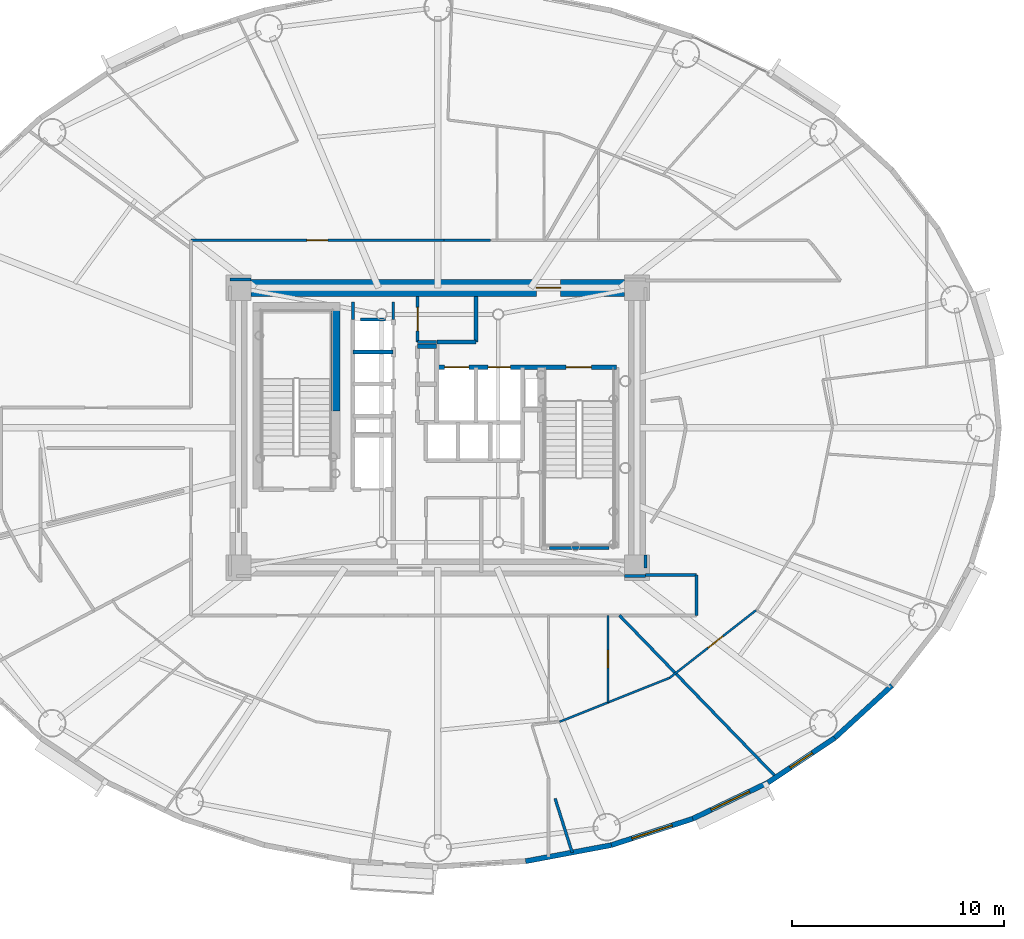
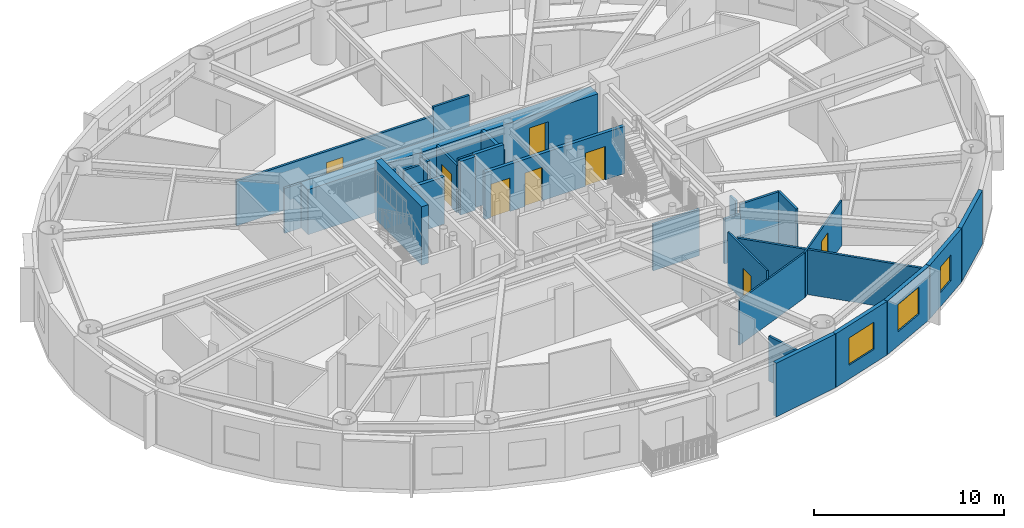
# One storey, part 8 of 17: 30 walls, 8 doors, 3 windows, 11 openings.
"""IFC4 building model written with IfcOpenShell, lengths in metres."""

from ifc_helpers import new_model, si_unit, direction, frame, frame_2d, origin, origin_2d, place, context, subcontext, project, spatial, rectangle, extrude, source, transform, mapped, material, layer, layer_set, type_object, element, fill, save


model = new_model("IFC4")

# Units and contexts
model_context = context("Model", 3, precision=1e-05, world=origin(), true_north=direction((0.0, 1.0)))
body_context = subcontext(model_context, "Body", "Model", "MODEL_VIEW")
ifc_project = project(units=[si_unit("LENGTHUNIT", "METRE"), si_unit("AREAUNIT", "SQUARE_METRE"), si_unit("VOLUMEUNIT", "CUBIC_METRE"), si_unit("PLANEANGLEUNIT", "RADIAN"), si_unit("MASSUNIT", "GRAM", prefix="KILO")], contexts=[model_context])

# Site, building, storey
site_placement = place(None, origin())
site = spatial("IfcSite", under=ifc_project, at=site_placement, CompositionType="ELEMENT")
building_placement = place(site_placement, origin())
building = spatial("IfcBuilding", under=site, at=building_placement, Name="Linh Dai School and Residence Tower", CompositionType="ELEMENT")
storey_placement = place(building_placement, frame((0.0, 0.0, 201.14990234375)))
storey = spatial("IfcBuildingStorey", under=building, at=storey_placement, Name="L49", CompositionType="ELEMENT", Elevation=201.14990234375)

# Wall
ifc_material_1 = material(Name="Precast Concrete B45 (C35/45)", Category="concrete")
ifc_layer_1 = layer(ifc_material_1, 0.239990234375)
ifc_layer_set_1 = layer_set([ifc_layer_1], Name="Precast Concrete B45 (C35/45)")
wall_type_1 = type_object("IfcWallType", Name="EW-TC-240", PredefinedType="SOLIDWALL", material=ifc_layer_set_1)
wall_1_placement = place(storey_placement, frame((44.18896484375, 7.310546875, 0.0), z_axis=(0.0, 0.0, 1.0), x_axis=(-0.982788108205, -0.184736391573, 0.0)))
element("IfcWall", 1, at=wall_1_placement, inside=storey, type_object=wall_type_1, Name="L49 Terracotta Exterior Wall 32", PredefinedType="SOLIDWALL", context=body_context, shape_type="SweptSolid", body=[
    extrude(rectangle(XDim=4.114013671875, YDim=0.239990234375, at=frame_2d((2.05712890625, 0.0))), origin(), (0.0, 0.0, 1.0), 3.4501953125),
])

# Wall, opening, window
wall_2_placement = place(storey_placement, frame((48.02978515625, 8.556396484375, 0.0), z_axis=(0.0, 0.0, 1.0), x_axis=(-0.951209870236, -0.30854462038, 0.0)))
wall_2 = element("IfcWall", 2, at=wall_2_placement, inside=storey, type_object=wall_type_1, Name="L49 Terracotta Exterior Wall 33", PredefinedType="SOLIDWALL", context=body_context, shape_type="SweptSolid", body=[
    extrude(rectangle(XDim=4.037841796875, YDim=0.239990234375, at=frame_2d((2.01904296875, 0.0))), origin(), (0.0, 0.0, 1.0), 3.4501953125),
])
opening_1_placement = place(wall_2_placement, frame((1.01904296875, 0.0, 0.89990234375)))
opening_1 = element("IfcOpeningElement", 3, at=opening_1_placement, cuts=wall_2, Name="Opening W1", PredefinedType="OPENING", context=body_context, shape_type="SweptSolid", body=[
    extrude(rectangle(XDim=2.0, YDim=1.75, at=origin_2d()), frame((1.0, 0.1298828125, 0.875), z_axis=(0.0, -1.0, 0.0), x_axis=(1.0, 0.0, 0.0)), (0.0, 0.0, 1.0), 0.260009765625),
])
ifc_material_2 = material(Name="Double Low-E Insulated Glazing", Category="glass")
window_type_1 = type_object("IfcWindowType", Name="WN-RES-2000x1750", PartitioningType="DOUBLE_PANEL_VERTICAL", PredefinedType="WINDOW", material=ifc_material_2)
shared_shape_1 = source(origin(), body_context, "Body", "SweptSolid", [
    extrude(rectangle(XDim=2.0, YDim=1.75, at=origin_2d()), frame((1.0, 0.030029296875, 0.875), z_axis=(0.0, -1.0, 0.0), x_axis=(1.0, 0.0, 0.0)), (0.0, 0.0, 1.0), 0.06005859375),
])
window_1_placement = place(opening_1_placement, origin())
window_1 = element("IfcWindow", 4, at=window_1_placement, inside=storey, type_object=window_type_1, Name="L49 Exterior Window 33.1", OverallHeight=1.75, OverallWidth=2.0, PartitioningType="DOUBLE_PANEL_VERTICAL", PredefinedType="WINDOW", context=body_context, shape_type="MappedRepresentation", body=[
    mapped(shared_shape_1, transform((0.0, 0.0, 0.0), x_axis=(1.0, 0.0, 0.0), y_axis=(0.0, 1.0, 0.0), z_axis=(0.0, 0.0, 1.0), scale=1.0)),
])
fill(opening_1, window_1)

wall_3_placement = place(storey_placement, frame((51.5732421875, 10.2568359375, 0.0), z_axis=(0.0, 0.0, 1.0), x_axis=(-0.901564733809, -0.432644231155, 0.0)))
wall_3 = element("IfcWall", 5, at=wall_3_placement, inside=storey, type_object=wall_type_1, Name="L49 Terracotta Exterior Wall 34", PredefinedType="SOLIDWALL", context=body_context, shape_type="SweptSolid", body=[
    extrude(rectangle(XDim=3.930419921875, YDim=0.239990234375, at=frame_2d((1.96533203125, 0.0))), origin(), (0.0, 0.0, 1.0), 3.4501953125),
])
opening_2_placement = place(wall_3_placement, frame((0.96533203125, 0.0, 0.89990234375)))
opening_2 = element("IfcOpeningElement", 6, at=opening_2_placement, cuts=wall_3, Name="Opening W1", PredefinedType="OPENING", context=body_context, shape_type="SweptSolid", body=[
    extrude(rectangle(XDim=2.0, YDim=1.75, at=origin_2d()), frame((1.0, 0.1298828125, 0.875), z_axis=(0.0, -1.0, 0.0), x_axis=(1.0, 0.0, 0.0)), (0.0, 0.0, 1.0), 0.260009765625),
])
window_2_placement = place(opening_2_placement, origin())
window_2 = element("IfcWindow", 7, at=window_2_placement, inside=storey, type_object=window_type_1, Name="L49 Exterior Window 34.1", OverallHeight=1.75, OverallWidth=2.0, PartitioningType="DOUBLE_PANEL_VERTICAL", PredefinedType="WINDOW", context=body_context, shape_type="MappedRepresentation", body=[
    mapped(shared_shape_1, transform((0.0, 0.0, 0.0), x_axis=(1.0, 0.0, 0.0), y_axis=(0.0, 1.0, 0.0), z_axis=(0.0, 0.0, 1.0), scale=1.0)),
])
fill(opening_2, window_2)

wall_4_placement = place(storey_placement, frame((54.73193359375, 12.369384765625, 0.0), z_axis=(0.0, 0.0, 1.0), x_axis=(-0.831228998277, -0.555930168657, 0.0)))
wall_4 = element("IfcWall", 8, at=wall_4_placement, inside=storey, type_object=wall_type_1, Name="L49 Terracotta Exterior Wall 35", PredefinedType="SOLIDWALL", context=body_context, shape_type="SweptSolid", body=[
    extrude(rectangle(XDim=3.800048828125, YDim=0.239990234375, at=frame_2d((1.89990234375, 0.0))), origin(), (0.0, 0.0, 1.0), 3.4501953125),
])
opening_3_placement = place(wall_4_placement, frame((1.27490234375, 0.0, 0.89990234375)))
opening_3 = element("IfcOpeningElement", 9, at=opening_3_placement, cuts=wall_4, Name="Opening W3", PredefinedType="OPENING", context=body_context, shape_type="SweptSolid", body=[
    extrude(rectangle(XDim=1.25, YDim=1.64990234375, at=origin_2d()), frame((0.625, 0.1298828125, 0.824951171875), z_axis=(0.0, -1.0, 0.0), x_axis=(1.0, 0.0, 0.0)), (0.0, 0.0, 1.0), 0.260009765625),
])
window_type_2 = type_object("IfcWindowType", Name="WN-RES-1250x1650", PartitioningType="SINGLE_PANEL", PredefinedType="WINDOW", material=ifc_material_2)
shared_shape_2 = source(origin(), body_context, "Body", "SweptSolid", [
    extrude(rectangle(XDim=1.25, YDim=1.64990234375, at=origin_2d()), frame((0.625, 0.030029296875, 0.824951171875), z_axis=(0.0, -1.0, 0.0), x_axis=(1.0, 0.0, 0.0)), (0.0, 0.0, 1.0), 0.06005859375),
])
window_3_placement = place(opening_3_placement, origin())
window_3 = element("IfcWindow", 10, at=window_3_placement, inside=storey, type_object=window_type_2, Name="L49 Dwelling Window U4902-BD1", OverallHeight=1.64990234375, OverallWidth=1.25, PartitioningType="SINGLE_PANEL", PredefinedType="WINDOW", context=body_context, shape_type="MappedRepresentation", body=[
    mapped(shared_shape_2, transform((0.0, 0.0, 0.0), x_axis=(1.0, 0.0, 0.0), y_axis=(0.0, 1.0, 0.0), z_axis=(0.0, 0.0, 1.0), scale=1.0)),
])
fill(opening_3, window_3)

# Wall
wall_5_placement = place(storey_placement, frame((57.42822265625, 14.841552734375, 0.0), z_axis=(0.0, 0.0, 1.0), x_axis=(-0.737076565834, -0.675809245349, 0.0)))
element("IfcWall", 11, at=wall_5_placement, inside=storey, type_object=wall_type_1, Name="L49 Terracotta Exterior Wall 36", PredefinedType="SOLIDWALL", context=body_context, shape_type="SweptSolid", body=[
    extrude(rectangle(XDim=3.658203125, YDim=0.239990234375, at=frame_2d((1.8291015625, 0.0))), origin(), (0.0, 0.0, 1.0), 3.4501953125),
])

# Wall, opening, door
ifc_material_3 = material(Name="Autoclaved Aerated Concrete Blockwork", Category="masonry")
ifc_layer_2 = layer(ifc_material_3, 0.135009765625)
ifc_layer_set_2 = layer_set([ifc_layer_2], Name="Autoclaved Aerated Concrete Blockwork")
wall_type_2 = type_object("IfcWallType", Name="IW-CORR-135-EI90", PredefinedType="PARTITIONING", material=ifc_layer_set_2)
wall_6_placement = place(storey_placement, frame((24.35009765625, 35.85009765625, 0.0), z_axis=(0.0, 0.0, 1.0), x_axis=(1.0, 0.0, 0.0)))
wall_6 = element("IfcWall", 12, at=wall_6_placement, inside=storey, type_object=wall_type_2, Name="L49 Interior Partition Wall 022", PredefinedType="PARTITIONING", context=body_context, shape_type="SweptSolid", body=[
    extrude(rectangle(XDim=11.9423828125, YDim=0.135009765625, at=frame_2d((5.97119140625, 0.0))), origin(), (0.0, 0.0, 1.0), 2.885009765625),
])
opening_4_placement = place(wall_6_placement, frame((5.47119140625, 0.0, 0.0)))
opening_4 = element("IfcOpeningElement", 13, at=opening_4_placement, cuts=wall_6, Name="Opening D03", PredefinedType="OPENING", context=body_context, shape_type="SweptSolid", body=[
    extrude(rectangle(XDim=1.0, YDim=2.14990234375, at=origin_2d()), frame((0.5, 0.07763671875, 1.074951171875), z_axis=(0.0, -1.0, 0.0), x_axis=(1.0, 0.0, 0.0)), (0.0, 0.0, 1.0), 0.155029296875),
])
ifc_material_4 = material(Name="Fire-Rated Solid Timber Entrance Door", Category="wood")
door_type_1 = type_object("IfcDoorType", Name="DR-FLAT-1000x2150-FD60S", OperationType="NOTDEFINED", PredefinedType="DOOR", material=ifc_material_4)
shared_shape_3 = source(origin(), body_context, "Body", "SweptSolid", [
    extrude(rectangle(XDim=1.0, YDim=2.14990234375, at=origin_2d()), frame((0.5, 0.02490234375, 1.074951171875), z_axis=(0.0, -1.0, 0.0), x_axis=(1.0, 0.0, 0.0)), (0.0, 0.0, 1.0), 0.050048828125),
])
door_1_placement = place(opening_4_placement, origin())
door_1 = element("IfcDoor", 14, at=door_1_placement, inside=storey, type_object=door_type_1, Name="L49 U4903 Apartment Entrance Door", OperationType="SINGLE_SWING_LEFT", OverallHeight=2.14990234375, OverallWidth=1.0, PredefinedType="DOOR", context=body_context, shape_type="MappedRepresentation", body=[
    mapped(shared_shape_3, transform((0.0, 0.0, 0.0), x_axis=(1.0, 0.0, 0.0), y_axis=(0.0, 1.0, 0.0), z_axis=(0.0, 0.0, 1.0), scale=1.0)),
])
fill(opening_4, door_1)

wall_7_placement = place(storey_placement, frame((35.050048828125, 31.050048828125, 0.0), z_axis=(0.0, 0.0, 1.0), x_axis=(0.0, 1.0, 0.0)))
wall_7 = element("IfcWall", 15, at=wall_7_placement, inside=storey, type_object=wall_type_2, Name="L49 Interior Partition Wall 042", PredefinedType="PARTITIONING", context=body_context, shape_type="SweptSolid", body=[
    extrude(rectangle(XDim=2.14990234375, YDim=0.135009765625, at=frame_2d((1.074951171875, 0.0))), origin(), (0.0, 0.0, 1.0), 3.03515625),
])
opening_5_placement = place(wall_7_placement, frame((0.52490234375, 0.0, 0.0)))
opening_5 = element("IfcOpeningElement", 16, at=opening_5_placement, cuts=wall_7, Name="Opening D07", PredefinedType="OPENING", context=body_context, shape_type="SweptSolid", body=[
    extrude(rectangle(XDim=1.10009765625, YDim=2.14990234375, at=origin_2d()), frame((0.550048828125, 0.07763671875, 1.074951171875), z_axis=(0.0, -1.0, 0.0), x_axis=(1.0, 0.0, 0.0)), (0.0, 0.0, 1.0), 0.155029296875),
])
ifc_material_5 = material(Name="Fire-Rated Louvred Steel Plant Door", Category="steel")
door_type_2 = type_object("IfcDoorType", Name="DR-PLT-1100x2150-FD60S", OperationType="NOTDEFINED", PredefinedType="DOOR", material=ifc_material_5)
shared_shape_4 = source(origin(), body_context, "Body", "SweptSolid", [
    extrude(rectangle(XDim=1.10009765625, YDim=2.14990234375, at=origin_2d()), frame((0.550048828125, 0.02490234375, 1.074951171875), z_axis=(0.0, -1.0, 0.0), x_axis=(1.0, 0.0, 0.0)), (0.0, 0.0, 1.0), 0.050048828125),
])
door_2_placement = place(opening_5_placement, origin())
door_2 = element("IfcDoor", 17, at=door_2_placement, inside=storey, type_object=door_type_2, Name="L49 North Telecom Switchroom Door", OperationType="SINGLE_SWING_LEFT", OverallHeight=2.14990234375, OverallWidth=1.10009765625, PredefinedType="DOOR", context=body_context, shape_type="MappedRepresentation", body=[
    mapped(shared_shape_4, transform((0.0, 0.0, 0.0), x_axis=(1.0, 0.0, 0.0), y_axis=(0.0, 1.0, 0.0), z_axis=(0.0, 0.0, 1.0), scale=1.0)),
])
fill(opening_5, door_2)

# Walls
wall_8_placement = place(storey_placement, frame((35.050048828125, 31.050048828125, 0.0), z_axis=(0.0, 0.0, 1.0), x_axis=(1.0, 0.0, 0.0)))
element("IfcWall", 18, at=wall_8_placement, inside=storey, type_object=wall_type_2, Name="L49 Interior Partition Wall 043", PredefinedType="PARTITIONING", context=body_context, shape_type="SweptSolid", body=[
    extrude(rectangle(XDim=0.89990234375, YDim=0.135009765625, at=frame_2d((0.449951171875, 0.0))), origin(), (0.0, 0.0, 1.0), 3.4501953125),
])
wall_9_placement = place(storey_placement, frame((44.570556640625, 18.14990234375, 0.0), z_axis=(0.0, 0.0, 1.0), x_axis=(0.695670435579, -0.718361082647, 0.0)))
element("IfcWall", 19, at=wall_9_placement, inside=storey, type_object=wall_type_2, Name="L49 Interior Partition Wall 076", PredefinedType="PARTITIONING", context=body_context, shape_type="SweptSolid", body=[
    extrude(rectangle(XDim=10.63037109375, YDim=0.135009765625, at=frame_2d((5.315185546875, 0.0))), origin(), (0.0, 0.0, 1.0), 2.885009765625),
])
wall_10_placement = place(storey_placement, frame((45.800048828125, 20.050048828125, 0.0), z_axis=(0.0, 0.0, 1.0), x_axis=(1.0, 0.0, 0.0)))
element("IfcWall", 20, at=wall_10_placement, inside=storey, type_object=wall_type_2, Name="L49 Interior Partition Wall 077", PredefinedType="PARTITIONING", context=body_context, shape_type="SweptSolid", body=[
    extrude(rectangle(XDim=2.39990234375, YDim=0.135009765625, at=frame_2d((1.199951171875, 0.0))), origin(), (0.0, 0.0, 1.0), 3.4501953125),
])
wall_11_placement = place(storey_placement, frame((48.199951171875, 18.14990234375, 0.0), z_axis=(0.0, 0.0, 1.0), x_axis=(0.0, 1.0, 0.0)))
element("IfcWall", 21, at=wall_11_placement, inside=storey, type_object=wall_type_2, Name="L49 Interior Partition Wall 082", PredefinedType="PARTITIONING", context=body_context, shape_type="SweptSolid", body=[
    extrude(rectangle(XDim=1.900146484375, YDim=0.135009765625, at=frame_2d((0.9501953125, 0.0))), origin(), (0.0, 0.0, 1.0), 3.4501953125),
])
wall_12_placement = place(storey_placement, frame((44.080078125, 21.330078125, 0.0), z_axis=(0.0, 0.0, 1.0), x_axis=(-1.0, 0.0, 0.0)))
element("IfcWall", 22, at=wall_12_placement, inside=storey, type_object=wall_type_2, Name="L49 Interior Partition Wall 094", PredefinedType="PARTITIONING", context=body_context, shape_type="SweptSolid", body=[
    extrude(rectangle(XDim=2.820068359375, YDim=0.135009765625, at=frame_2d((1.41015625, 0.0))), origin(), (0.0, 0.0, 1.0), 2.985107421875),
])
wall_13_placement = place(storey_placement, frame((32.360107421875, 32.10009765625, 0.0), z_axis=(0.0, 0.0, 1.0), x_axis=(1.0, 0.0, 0.0)))
element("IfcWall", 23, at=wall_13_placement, inside=storey, type_object=wall_type_2, Name="L49 Interior Partition Wall 095", PredefinedType="PARTITIONING", context=body_context, shape_type="SweptSolid", body=[
    extrude(rectangle(XDim=1.179931640625, YDim=0.135009765625, at=frame_2d((0.58984375, 0.0))), origin(), (0.0, 0.0, 1.0), 3.03515625),
])
wall_14_placement = place(storey_placement, frame((32.0, 32.93994140625, 0.0), z_axis=(0.0, 0.0, 1.0), x_axis=(0.0, -1.0, 0.0)))
element("IfcWall", 24, at=wall_14_placement, inside=storey, type_object=wall_type_2, Name="L49 Interior Partition Wall 097", PredefinedType="PARTITIONING", context=body_context, shape_type="SweptSolid", body=[
    extrude(rectangle(XDim=0.829833984375, YDim=0.135009765625, at=frame_2d((0.4150390625, 0.0))), origin(), (0.0, 0.0, 1.0), 2.985107421875),
])
wall_15_placement = place(storey_placement, frame((33.89990234375, 32.110107421875, 0.0), z_axis=(0.0, 0.0, 1.0), x_axis=(0.0, 1.0, 0.0)))
element("IfcWall", 25, at=wall_15_placement, inside=storey, type_object=wall_type_2, Name="L49 Interior Partition Wall 098", PredefinedType="PARTITIONING", context=body_context, shape_type="SweptSolid", body=[
    extrude(rectangle(XDim=0.829833984375, YDim=0.135009765625, at=frame_2d((0.4150390625, 0.0))), origin(), (0.0, 0.0, 1.0), 3.03515625),
])
wall_16_placement = place(storey_placement, frame((36.30224609375, 35.85009765625, 0.0), z_axis=(0.0, 0.0, 1.0), x_axis=(1.0, 0.0, 0.0)))
element("IfcWall", 26, at=wall_16_placement, inside=storey, type_object=wall_type_2, Name="L49 Interior Partition Wall 100", PredefinedType="PARTITIONING", context=body_context, shape_type="SweptSolid", body=[
    extrude(rectangle(XDim=2.1865234375, YDim=0.135009765625, at=frame_2d((1.09326171875, 0.0))), origin(), (0.0, 0.0, 1.0), 3.4501953125),
])
wall_17_placement = place(storey_placement, frame((27.18994140625, 34.0, 0.0), z_axis=(0.0, 0.0, 1.0), x_axis=(-1.0, 0.0, 0.0)))
element("IfcWall", 27, at=wall_17_placement, inside=storey, type_object=wall_type_2, Name="L49 Interior Partition Wall 102", PredefinedType="PARTITIONING", context=body_context, shape_type="SweptSolid", body=[
    extrude(rectangle(XDim=0.989990234375, YDim=0.135009765625, at=frame_2d((0.4951171875, 0.0))), origin(), (0.0, 0.0, 1.0), 2.885009765625),
])
wall_18_placement = place(storey_placement, frame((44.81005859375, 20.0, 0.0), z_axis=(0.0, 0.0, 1.0), x_axis=(1.0, 0.0, 0.0)))
element("IfcWall", 28, at=wall_18_placement, inside=storey, type_object=wall_type_2, Name="L49 Interior Partition Wall 106", PredefinedType="PARTITIONING", context=body_context, shape_type="SweptSolid", body=[
    extrude(rectangle(XDim=0.97998046875, YDim=0.135009765625, at=frame_2d((0.489990234375, 0.0))), origin(), (0.0, 0.0, 1.0), 2.885009765625),
])
wall_19_placement = place(storey_placement, frame((42.342529296875, 6.95849609375, 0.0), z_axis=(0.0, 0.0, 1.0), x_axis=(-0.30175084808, 0.953386818496, 0.0)))
element("IfcWall", 29, at=wall_19_placement, inside=storey, type_object=wall_type_2, Name="L49 Interior Partition Wall 112", PredefinedType="PARTITIONING", context=body_context, shape_type="SweptSolid", body=[
    extrude(rectangle(XDim=2.677978515625, YDim=0.135009765625, at=frame_2d((1.3388671875, 0.0))), origin(), (0.0, 0.0, 1.0), 2.885009765625),
])
wall_20_placement = place(storey_placement, frame((45.800048828125, 20.37744140625, 0.0), z_axis=(0.0, 0.0, 1.0), x_axis=(0.0, 1.0, 0.0)))
element("IfcWall", 30, at=wall_20_placement, inside=storey, type_object=wall_type_2, Name="L49 Interior Partition Wall 118", PredefinedType="PARTITIONING", context=body_context, shape_type="SweptSolid", body=[
    extrude(rectangle(XDim=0.612548828125, YDim=0.135009765625, at=frame_2d((0.30615234375, 0.0))), origin(), (0.0, 0.0, 1.0), 3.4501953125),
])
ifc_material_6 = material(Name="Concrete B45 (C35/45)", Category="concrete")
ifc_layer_3 = layer(ifc_material_6, 0.199951171875)
ifc_layer_set_3 = layer_set([ifc_layer_3], Name="Concrete B45 (C35/45)")
wall_type_3 = type_object("IfcWallType", Name="IW-SHAFT-200-EI120", PredefinedType="PARTITIONING", material=ifc_layer_set_3)
wall_21_placement = place(storey_placement, frame((32.0, 30.580078125, 0.0), z_axis=(0.0, 0.0, 1.0), x_axis=(1.0, 0.0, 0.0)))
element("IfcWall", 31, at=wall_21_placement, inside=storey, type_object=wall_type_3, Name="L49 Interior Partition Wall 034", PredefinedType="PARTITIONING", context=body_context, shape_type="SweptSolid", body=[
    extrude(rectangle(XDim=1.89990234375, YDim=0.199951171875, at=frame_2d((0.949951171875, 0.0))), origin(), (0.0, 0.0, 1.0), 3.03515625),
])
wall_22_placement = place(storey_placement, frame((35.050048828125, 30.85009765625, 0.0), z_axis=(0.0, 0.0, 1.0), x_axis=(1.0, 0.0, 0.0)))
element("IfcWall", 32, at=wall_22_placement, inside=storey, type_object=wall_type_3, Name="L49 Interior Partition Wall 041", PredefinedType="PARTITIONING", context=body_context, shape_type="SweptSolid", body=[
    extrude(rectangle(XDim=0.89990234375, YDim=0.199951171875, at=frame_2d((0.449951171875, 0.0))), origin(), (0.0, 0.0, 1.0), 3.4501953125),
])

# Wall, openings, doors
wall_23_placement = place(storey_placement, frame((35.949951171875, 29.85009765625, 0.0), z_axis=(0.0, 0.0, 1.0), x_axis=(1.0, 0.0, 0.0)))
wall_23 = element("IfcWall", 33, at=wall_23_placement, inside=storey, type_object=wall_type_3, Name="L49 Interior Partition Wall 049", PredefinedType="PARTITIONING", context=body_context, shape_type="SweptSolid", body=[
    extrude(rectangle(XDim=8.489990234375, YDim=0.199951171875, at=frame_2d((4.2451171875, 0.0))), origin(), (0.0, 0.0, 1.0), 3.03515625),
])
opening_6_placement = place(wall_23_placement, frame((6.10009765625, 0.0, 0.0)))
opening_6 = element("IfcOpeningElement", 34, at=opening_6_placement, cuts=wall_23, Name="Opening D01", PredefinedType="OPENING", context=body_context, shape_type="SweptSolid", body=[
    extrude(rectangle(XDim=1.199951171875, YDim=2.14990234375, at=origin_2d()), frame((0.60009765625, 0.10986328125, 1.074951171875), z_axis=(0.0, -1.0, 0.0), x_axis=(1.0, 0.0, 0.0)), (0.0, 0.0, 1.0), 0.219970703125),
])
opening_7_placement = place(wall_23_placement, frame((0.3701171875, 0.0, 0.0)))
opening_7 = element("IfcOpeningElement", 35, at=opening_7_placement, cuts=wall_23, Name="Opening LD-FF1", PredefinedType="OPENING", context=body_context, shape_type="SweptSolid", body=[
    extrude(rectangle(XDim=1.14990234375, YDim=2.14990234375, at=origin_2d()), frame((0.574951171875, 0.10986328125, 1.074951171875), z_axis=(0.0, -1.0, 0.0), x_axis=(1.0, 0.0, 0.0)), (0.0, 0.0, 1.0), 0.219970703125),
])
opening_8_placement = place(wall_23_placement, frame((2.425048828125, 0.0, 0.0)))
opening_8 = element("IfcOpeningElement", 36, at=opening_8_placement, cuts=wall_23, Name="Opening LD-SV1", PredefinedType="OPENING", context=body_context, shape_type="SweptSolid", body=[
    extrude(rectangle(XDim=1.050048828125, YDim=2.14990234375, at=origin_2d()), frame((0.52490234375, 0.10986328125, 1.074951171875), z_axis=(0.0, -1.0, 0.0), x_axis=(1.0, 0.0, 0.0)), (0.0, 0.0, 1.0), 0.219970703125),
])
ifc_material_7 = material(Name="Fire-Rated Steel Door Leaf", Category="steel")
door_type_3 = type_object("IfcDoorType", Name="DR-STAIR-1200x2150-FD90S", OperationType="NOTDEFINED", PredefinedType="DOOR", material=ifc_material_7)
shared_shape_5 = source(origin(), body_context, "Body", "SweptSolid", [
    extrude(rectangle(XDim=1.199951171875, YDim=2.14990234375, at=origin_2d()), frame((0.60009765625, 0.02490234375, 1.074951171875), z_axis=(0.0, -1.0, 0.0), x_axis=(1.0, 0.0, 0.0)), (0.0, 0.0, 1.0), 0.050048828125),
])
door_3_placement = place(opening_6_placement, origin())
door_3 = element("IfcDoor", 37, at=door_3_placement, inside=storey, type_object=door_type_3, Name="L49 Core Smokeproof Exit Stair ST2 Door", OperationType="SINGLE_SWING_RIGHT", OverallHeight=2.14990234375, OverallWidth=1.199951171875, PredefinedType="DOOR", context=body_context, shape_type="MappedRepresentation", body=[
    mapped(shared_shape_5, transform((0.0, 0.0, 0.0), x_axis=(1.0, 0.0, 0.0), y_axis=(0.0, 1.0, 0.0), z_axis=(0.0, 0.0, 1.0), scale=1.0)),
])
fill(opening_6, door_3)
ifc_material_8 = material(Name="Fire-Rated Stainless Steel Firefighting Lift Door", Category="steel")
door_type_4 = type_object("IfcDoorType", Name="DR-LD-FF-1150x2150-FD120", OperationType="DOUBLE_DOOR_SLIDING", PredefinedType="USERDEFINED", material=ifc_material_8)
shared_shape_6 = source(origin(), body_context, "Body", "SweptSolid", [
    extrude(rectangle(XDim=1.14990234375, YDim=2.14990234375, at=origin_2d()), frame((0.574951171875, 0.02490234375, 1.074951171875), z_axis=(0.0, -1.0, 0.0), x_axis=(1.0, 0.0, 0.0)), (0.0, 0.0, 1.0), 0.050048828125),
])
door_4_placement = place(opening_7_placement, origin())
door_4 = element("IfcDoor", 38, at=door_4_placement, inside=storey, type_object=door_type_4, Name="L49 Lift FF1 Sliding Landing Door", ObjectType="LANDING DOOR", OperationType="DOUBLE_DOOR_SLIDING", OverallHeight=2.14990234375, OverallWidth=1.14990234375, PredefinedType="USERDEFINED", context=body_context, shape_type="MappedRepresentation", body=[
    mapped(shared_shape_6, transform((0.0, 0.0, 0.0), x_axis=(1.0, 0.0, 0.0), y_axis=(0.0, 1.0, 0.0), z_axis=(0.0, 0.0, 1.0), scale=1.0)),
])
fill(opening_7, door_4)
ifc_material_9 = material(Name="Brushed Stainless Steel Lift Landing Door", Category="steel")
door_type_5 = type_object("IfcDoorType", Name="DR-LD-PASS-1050x2150", OperationType="DOUBLE_DOOR_SLIDING", PredefinedType="USERDEFINED", material=ifc_material_9)
shared_shape_7 = source(origin(), body_context, "Body", "SweptSolid", [
    extrude(rectangle(XDim=1.050048828125, YDim=2.14990234375, at=origin_2d()), frame((0.52490234375, 0.02490234375, 1.074951171875), z_axis=(0.0, -1.0, 0.0), x_axis=(1.0, 0.0, 0.0)), (0.0, 0.0, 1.0), 0.050048828125),
])
door_5_placement = place(opening_8_placement, origin())
door_5 = element("IfcDoor", 39, at=door_5_placement, inside=storey, type_object=door_type_5, Name="L49 Lift SV1 Sliding Landing Door", ObjectType="LANDING DOOR", OperationType="DOUBLE_DOOR_SLIDING", OverallHeight=2.14990234375, OverallWidth=1.050048828125, PredefinedType="USERDEFINED", context=body_context, shape_type="MappedRepresentation", body=[
    mapped(shared_shape_7, transform((0.0, 0.0, 0.0), x_axis=(1.0, 0.0, 0.0), y_axis=(0.0, 1.0, 0.0), z_axis=(0.0, 0.0, 1.0), scale=1.0)),
])
fill(opening_8, door_5)

# Walls
wall_24_placement = place(storey_placement, frame((35.9599609375, 31.050048828125, 0.0), z_axis=(0.0, 0.0, 1.0), x_axis=(1.0, 0.0, 0.0)))
element("IfcWall", 40, at=wall_24_placement, inside=storey, type_object=wall_type_3, Name="L49 Interior Partition Wall 050", PredefinedType="PARTITIONING", context=body_context, shape_type="SweptSolid", body=[
    extrude(rectangle(XDim=1.840087890625, YDim=0.199951171875, at=frame_2d((0.919921875, 0.0))), origin(), (0.0, 0.0, 1.0), 3.4501953125),
])
wall_25_placement = place(storey_placement, frame((37.800048828125, 31.050048828125, 0.0), z_axis=(0.0, 0.0, 1.0), x_axis=(0.0, 1.0, 0.0)))
element("IfcWall", 41, at=wall_25_placement, inside=storey, type_object=wall_type_3, Name="L49 Interior Partition Wall 055", PredefinedType="PARTITIONING", context=body_context, shape_type="SweptSolid", body=[
    extrude(rectangle(XDim=2.14990234375, YDim=0.199951171875, at=frame_2d((1.074951171875, 0.0))), origin(), (0.0, 0.0, 1.0), 3.03515625),
])
ifc_material_10 = material(Name="Gypsum Plasterboard Acoustic Stud Partition", Category="masonry")
ifc_layer_4 = layer(ifc_material_10, 0.10009765625)
ifc_layer_set_4 = layer_set([ifc_layer_4], Name="Gypsum Plasterboard Acoustic Stud Partition")
wall_type_4 = type_object("IfcWallType", Name="IW-UNIT-100", PredefinedType="PARTITIONING", material=ifc_layer_set_4)
wall_26_placement = place(storey_placement, frame((41.75390625, 13.132568359375, 0.0), z_axis=(0.0, 0.0, 1.0), x_axis=(0.928798710424, 0.370584613166, 0.0)))
element("IfcWall", 42, at=wall_26_placement, inside=storey, type_object=wall_type_4, Name="L49 Interior Partition Wall 071", PredefinedType="PARTITIONING", context=body_context, shape_type="SweptSolid", body=[
    extrude(rectangle(XDim=5.588623046875, YDim=0.10009765625, at=frame_2d((2.79443359375, 0.0))), origin(), (0.0, 0.0, 1.0), 2.885009765625),
])

# Wall, opening, door
wall_27_placement = place(storey_placement, frame((44.03076171875, 14.041259765625, 0.0), z_axis=(0.0, 0.0, 1.0), x_axis=(0.0, 1.0, 0.0)))
wall_27 = element("IfcWall", 43, at=wall_27_placement, inside=storey, type_object=wall_type_4, Name="L49 Interior Partition Wall 074", PredefinedType="PARTITIONING", context=body_context, shape_type="SweptSolid", body=[
    extrude(rectangle(XDim=4.108642578125, YDim=0.10009765625, at=frame_2d((2.05419921875, 0.0))), origin(), (0.0, 0.0, 1.0), 3.4501953125),
])
opening_9_placement = place(wall_27_placement, frame((1.644287109375, 0.0, 0.0)))
opening_9 = element("IfcOpeningElement", 44, at=opening_9_placement, cuts=wall_27, Name="Opening D06", PredefinedType="OPENING", context=body_context, shape_type="SweptSolid", body=[
    extrude(rectangle(XDim=0.820068359375, YDim=2.10009765625, at=origin_2d()), frame((0.41015625, 0.06005859375, 1.050048828125), z_axis=(0.0, -1.0, 0.0), x_axis=(1.0, 0.0, 0.0)), (0.0, 0.0, 1.0), 0.1201171875),
])
ifc_material_11 = material(Name="Moisture-Resistant Timber Bathroom Door", Category="wood")
door_type_6 = type_object("IfcDoorType", Name="DR-WET-820x2100", OperationType="NOTDEFINED", PredefinedType="DOOR", material=ifc_material_11)
shared_shape_8 = source(origin(), body_context, "Body", "SweptSolid", [
    extrude(rectangle(XDim=0.820068359375, YDim=2.10009765625, at=origin_2d()), frame((0.41015625, 0.02490234375, 1.050048828125), z_axis=(0.0, -1.0, 0.0), x_axis=(1.0, 0.0, 0.0)), (0.0, 0.0, 1.0), 0.050048828125),
])
door_6_placement = place(opening_9_placement, origin())
door_6 = element("IfcDoor", 45, at=door_6_placement, inside=storey, type_object=door_type_6, Name="L49 Apartment U4901 Bathroom 1 Door", OperationType="SINGLE_SWING_LEFT", OverallHeight=2.10009765625, OverallWidth=0.820068359375, PredefinedType="DOOR", context=body_context, shape_type="MappedRepresentation", body=[
    mapped(shared_shape_8, transform((0.0, 0.0, 0.0), x_axis=(1.0, 0.0, 0.0), y_axis=(0.0, 1.0, 0.0), z_axis=(0.0, 0.0, 1.0), scale=1.0)),
])
fill(opening_9, door_6)

wall_28_placement = place(storey_placement, frame((46.944580078125, 15.20361328125, 0.0), z_axis=(0.0, 0.0, 1.0), x_axis=(0.787319701233, 0.616544960282, 0.0)))
wall_28 = element("IfcWall", 46, at=wall_28_placement, inside=storey, type_object=wall_type_4, Name="L49 Interior Partition Wall 080", PredefinedType="PARTITIONING", context=body_context, shape_type="SweptSolid", body=[
    extrude(rectangle(XDim=5.17236328125, YDim=0.10009765625, at=frame_2d((2.586181640625, 0.0))), origin(), (0.0, 0.0, 1.0), 2.885009765625),
])
opening_10_placement = place(wall_28_placement, frame((2.289306640625, 0.0, 0.0)))
opening_10 = element("IfcOpeningElement", 47, at=opening_10_placement, cuts=wall_28, Name="Opening D05", PredefinedType="OPENING", context=body_context, shape_type="SweptSolid", body=[
    extrude(rectangle(XDim=0.89990234375, YDim=2.10009765625, at=origin_2d()), frame((0.449951171875, 0.06005859375, 1.050048828125), z_axis=(0.0, -1.0, 0.0), x_axis=(1.0, 0.0, 0.0)), (0.0, 0.0, 1.0), 0.1201171875),
])
ifc_material_12 = material(Name="Engineered Timber Internal Door", Category="wood")
door_type_7 = type_object("IfcDoorType", Name="DR-INT-900x2100", OperationType="NOTDEFINED", PredefinedType="DOOR", material=ifc_material_12)
shared_shape_9 = source(origin(), body_context, "Body", "SweptSolid", [
    extrude(rectangle(XDim=0.89990234375, YDim=2.10009765625, at=origin_2d()), frame((0.449951171875, 0.02490234375, 1.050048828125), z_axis=(0.0, -1.0, 0.0), x_axis=(1.0, 0.0, 0.0)), (0.0, 0.0, 1.0), 0.050048828125),
])
door_7_placement = place(opening_10_placement, origin())
door_7 = element("IfcDoor", 48, at=door_7_placement, inside=storey, type_object=door_type_7, Name="L49 Apartment U4902 Principal Bedroom 1 Door", OperationType="SINGLE_SWING_LEFT", OverallHeight=2.10009765625, OverallWidth=0.89990234375, PredefinedType="DOOR", context=body_context, shape_type="MappedRepresentation", body=[
    mapped(shared_shape_9, transform((0.0, 0.0, 0.0), x_axis=(1.0, 0.0, 0.0), y_axis=(0.0, 1.0, 0.0), z_axis=(0.0, 0.0, 1.0), scale=1.0)),
])
fill(opening_10, door_7)

# Wall
ifc_layer_5 = layer(ifc_material_6, 0.39990234375)
ifc_layer_set_5 = layer_set([ifc_layer_5], Name="Concrete B45 (C35/45)")
wall_type_5 = type_object("IfcWallType", Name="WL-CORE400", PredefinedType="SHEAR", material=ifc_layer_set_5)
wall_29_placement = place(storey_placement, frame((31.179931640625, 27.800048828125, 0.0), z_axis=(0.0, 0.0, 1.0), x_axis=(0.0, 1.0, 0.0)))
element("IfcWall", 49, at=wall_29_placement, inside=storey, type_object=wall_type_5, Name="L49 Core Stair ST1 Bearing Wall E", PredefinedType="SHEAR", context=body_context, shape_type="SweptSolid", body=[
    extrude(rectangle(XDim=4.89990234375, YDim=0.39990234375, at=frame_2d((2.449951171875, 0.0))), origin(), (0.0, 0.0, 1.0), 3.75),
])

# Wall, opening, door
ifc_material_13 = material(Name="Concrete B60 (C50/60)", Category="concrete")
ifc_layer_6 = layer(ifc_material_13, 0.800048828125)
ifc_layer_set_6 = layer_set([ifc_layer_6], Name="Concrete B60 (C50/60)")
wall_type_6 = type_object("IfcWallType", Name="WL-CORE800", PredefinedType="SHEAR", material=ifc_layer_set_6)
wall_30_placement = place(storey_placement, frame((27.199951171875, 33.60009765625, 0.0), z_axis=(0.0, 0.0, 1.0), x_axis=(1.0, 0.0, 0.0)))
wall_30 = element("IfcWall", 50, at=wall_30_placement, inside=storey, type_object=wall_type_6, Name="L49 Central Core Shear Wall N", PredefinedType="SHEAR", context=body_context, shape_type="SweptSolid", body=[
    extrude(rectangle(XDim=17.60009765625, YDim=0.800048828125, at=frame_2d((8.800048828125, 0.0))), origin(), (0.0, 0.0, 1.0), 2.900146484375),
])
opening_11_placement = place(wall_30_placement, frame((13.449951171875, 0.0, 0.0)))
opening_11 = element("IfcOpeningElement", 51, at=opening_11_placement, cuts=wall_30, Name="Opening D02", PredefinedType="OPENING", context=body_context, shape_type="SweptSolid", body=[
    extrude(rectangle(XDim=1.14990234375, YDim=2.14990234375, at=origin_2d()), frame((0.574951171875, 0.41015625, 1.074951171875), z_axis=(0.0, -1.0, 0.0), x_axis=(1.0, 0.0, 0.0)), (0.0, 0.0, 1.0), 0.820068359375),
])
ifc_material_14 = material(Name="Fire-Rated Glazed Steel Lobby Door", Category="steel")
door_type_8 = type_object("IfcDoorType", Name="DR-LOBBY-1150x2150-FD90S", OperationType="NOTDEFINED", PredefinedType="DOOR", material=ifc_material_14)
shared_shape_10 = source(origin(), body_context, "Body", "SweptSolid", [
    extrude(rectangle(XDim=1.14990234375, YDim=2.14990234375, at=origin_2d()), frame((0.574951171875, 0.02490234375, 1.074951171875), z_axis=(0.0, -1.0, 0.0), x_axis=(1.0, 0.0, 0.0)), (0.0, 0.0, 1.0), 0.050048828125),
])
door_8_placement = place(opening_11_placement, origin())
door_8 = element("IfcDoor", 52, at=door_8_placement, inside=storey, type_object=door_type_8, Name="L49 Firefighting Lobby Door", OperationType="SINGLE_SWING_LEFT", OverallHeight=2.14990234375, OverallWidth=1.14990234375, PredefinedType="DOOR", context=body_context, shape_type="MappedRepresentation", body=[
    mapped(shared_shape_10, transform((0.0, 0.0, 0.0), x_axis=(1.0, 0.0, 0.0), y_axis=(0.0, 1.0, 0.0), z_axis=(0.0, 0.0, 1.0), scale=1.0)),
])
fill(opening_11, door_8)

save(model, "model.ifc")
